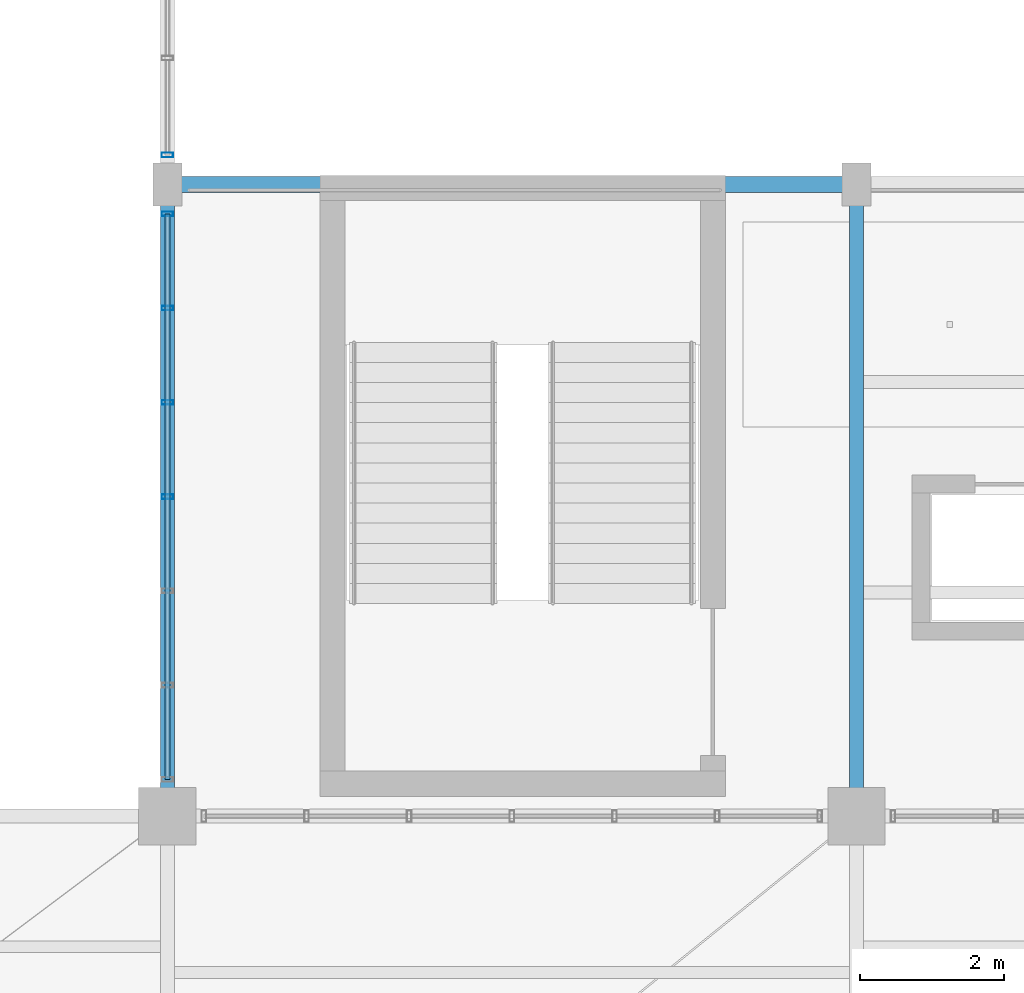
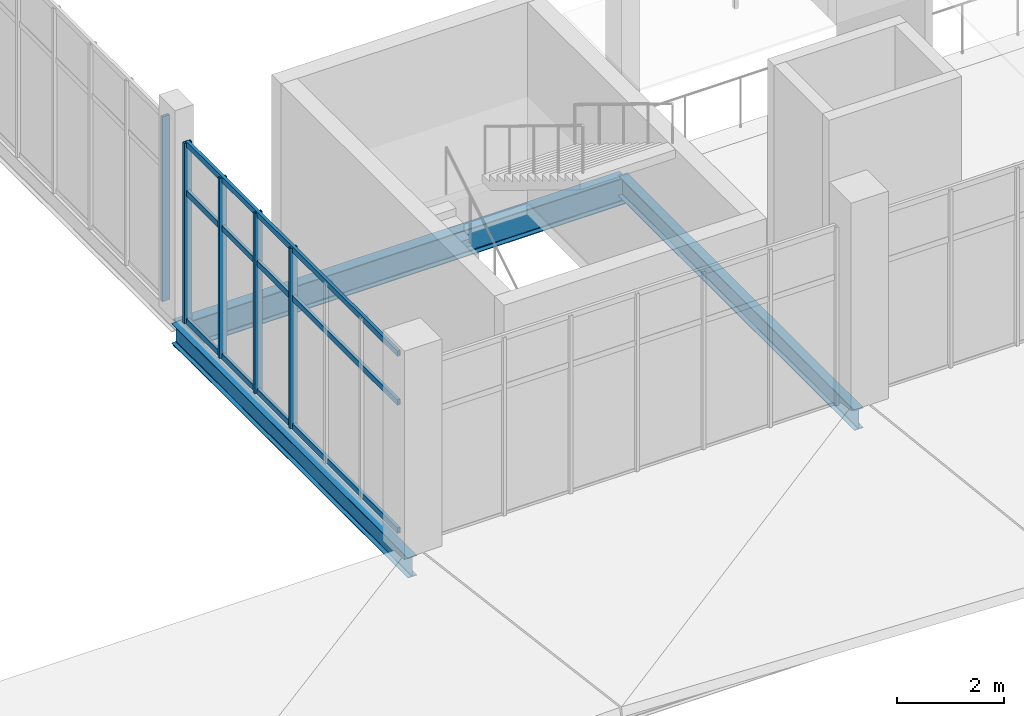
# One storey, part 28 of 157: 8 members, 3 beams, 2 elements without a shape of their own.
"""IFC4 building model written with IfcOpenShell, lengths in metres."""

from ifc_helpers import new_model, si_unit, direction, frame, origin, origin_2d, place, context, subcontext, project, spatial, hollow_rectangle, i_section, extrude, material, layer, layer_set, material_profile, profile_set, type_object, element, aggregate, save


model = new_model("IFC4")

# Units and contexts
model_context = context("Model", 3, precision=1e-05, world=origin(), true_north=direction((0.0, 1.0)))
body_context = subcontext(model_context, "Body", "Model", "MODEL_VIEW")
ifc_project = project(units=[si_unit("LENGTHUNIT", "METRE"), si_unit("AREAUNIT", "SQUARE_METRE"), si_unit("VOLUMEUNIT", "CUBIC_METRE"), si_unit("PLANEANGLEUNIT", "RADIAN"), si_unit("MASSUNIT", "GRAM", prefix="KILO")], contexts=[model_context])

# Site, building, storey
site_placement = place(None, origin())
site = spatial("IfcSite", under=ifc_project, at=site_placement, CompositionType="ELEMENT")
building_placement = place(site_placement, origin())
building = spatial("IfcBuilding", under=site, at=building_placement, Name="Chalmorin Arch Market", CompositionType="ELEMENT")
storey_placement = place(building_placement, frame((0.0, 0.0, 4.800048828125)))
storey = spatial("IfcBuildingStorey", under=building, at=storey_placement, Name="L01", CompositionType="ELEMENT", Elevation=4.800048828125)

# Curtain wall, members
ifc_material_1 = material(Name="Aluminium 6063-T6", Category="aluminium")
ifc_layer_1 = layer(ifc_material_1, 0.159912109375)
ifc_layer_set_1 = layer_set([ifc_layer_1], Name="Aluminium 6063-T6")
curtain_wall_type_1 = type_object("IfcCurtainWallType", Name="GableTympanumCurtainWall-CW4-7880x4100", PredefinedType="NOTDEFINED", material=ifc_layer_set_1)
curtain_wall_1_placement = place(storey_placement, origin())
curtain_wall_1 = element("IfcCurtainWall", 1, at=curtain_wall_1_placement, inside=storey, type_object=curtain_wall_type_1, Name="CW-04-026", PredefinedType="NOTDEFINED")
ifc_material_profile_1 = material_profile(ifc_material_1, hollow_rectangle(XDim=0.06494140625, YDim=0.159912109375, WallThickness=0.00390625, at=origin_2d()), Name="ALU65X160X4")
ifc_profile_set_1 = profile_set([ifc_material_profile_1], Name="Aluminium 6063-T6")
member_type_1 = type_object("IfcMemberType", Name="CurtainWallMullion-65x160", PredefinedType="MULLION", material=ifc_profile_set_1)
member_1_placement = place(storey_placement, frame((48.0, 10.449951171875, 0.0), z_axis=(0.0, 0.0, 1.0), x_axis=(0.0, 1.0, 0.0)))
member_1 = element("IfcMember", 2, at=member_1_placement, type_object=member_type_1, Name="ML-026-04", PredefinedType="MULLION", context=body_context, shape_type="SweptSolid", body=[
    extrude(hollow_rectangle(XDim=0.06494140625, YDim=0.159912109375, WallThickness=0.00390625, at=origin_2d()), origin(), (0.0, 0.0, 1.0), 4.095947265625),
])
member_2_placement = place(storey_placement, frame((48.0, 11.76318359375, 0.0), z_axis=(0.0, 0.0, 1.0), x_axis=(0.0, 1.0, 0.0)))
member_2 = element("IfcMember", 3, at=member_2_placement, type_object=member_type_1, Name="ML-026-05", PredefinedType="MULLION", context=body_context, shape_type="SweptSolid", body=[
    extrude(hollow_rectangle(XDim=0.06494140625, YDim=0.159912109375, WallThickness=0.00390625, at=origin_2d()), origin(), (0.0, 0.0, 1.0), 4.095947265625),
])
member_3_placement = place(storey_placement, frame((48.0, 13.07666015625, 0.0), z_axis=(0.0, 0.0, 1.0), x_axis=(0.0, 1.0, 0.0)))
member_3 = element("IfcMember", 4, at=member_3_placement, type_object=member_type_1, Name="ML-026-06", PredefinedType="MULLION", context=body_context, shape_type="SweptSolid", body=[
    extrude(hollow_rectangle(XDim=0.06494140625, YDim=0.159912109375, WallThickness=0.00390625, at=origin_2d()), origin(), (0.0, 0.0, 1.0), 4.095947265625),
])
member_4_placement = place(storey_placement, frame((48.0, 14.389892578125, 0.0), z_axis=(0.0, 0.0, 1.0), x_axis=(0.0, 1.0, 0.0)))
member_4 = element("IfcMember", 5, at=member_4_placement, type_object=member_type_1, Name="ML-026-07", PredefinedType="MULLION", context=body_context, shape_type="SweptSolid", body=[
    extrude(hollow_rectangle(XDim=0.06494140625, YDim=0.159912109375, WallThickness=0.00390625, at=origin_2d()), origin(), (0.0, 0.0, 1.0), 4.095947265625),
])

# Curtain wall, member
ifc_layer_2 = layer(ifc_material_1, 0.159912109375)
ifc_layer_set_2 = layer_set([ifc_layer_2], Name="Aluminium 6063-T6")
curtain_wall_type_2 = type_object("IfcCurtainWallType", Name="GableTympanumCurtainWall-CW4-8100x4200", PredefinedType="NOTDEFINED", material=ifc_layer_set_2)
curtain_wall_2_placement = place(storey_placement, origin())
curtain_wall_2 = element("IfcCurtainWall", 6, at=curtain_wall_2_placement, inside=storey, type_object=curtain_wall_type_2, Name="CW-04-028", PredefinedType="NOTDEFINED")
member_5_placement = place(storey_placement, frame((48.0, 15.2099609375, 0.0), z_axis=(0.0, 0.0, 1.0), x_axis=(0.0, 1.0, 0.0)))
member_5 = element("IfcMember", 7, at=member_5_placement, type_object=member_type_1, Name="ML-028-01", PredefinedType="MULLION", context=body_context, shape_type="SweptSolid", body=[
    extrude(hollow_rectangle(XDim=0.06494140625, YDim=0.159912109375, WallThickness=0.00390625, at=origin_2d()), origin(), (0.0, 0.0, 1.0), 4.199951171875),
])
aggregate(curtain_wall_2, [member_5])

# Member
ifc_material_profile_2 = material_profile(ifc_material_1, hollow_rectangle(XDim=0.06494140625, YDim=0.1298828125, WallThickness=0.00390625, at=origin_2d()), Name="ALU65X130X4")
ifc_profile_set_2 = profile_set([ifc_material_profile_2], Name="Aluminium 6063-T6")
member_type_2 = type_object("IfcMemberType", Name="CurtainWallTransom-65x130", PredefinedType="USERDEFINED", material=ifc_profile_set_2)
member_6_placement = place(storey_placement, frame((48.0, 6.510009765625, 0.034912109375), z_axis=(0.0, 1.0, 0.0), x_axis=(-1.0, 0.0, 0.0)))
member_6 = element("IfcMember", 8, at=member_6_placement, type_object=member_type_2, Name="TR-026-01", ObjectType="TRANSOM", PredefinedType="USERDEFINED", context=body_context, shape_type="SweptSolid", body=[
    extrude(hollow_rectangle(XDim=0.06494140625, YDim=0.1298828125, WallThickness=0.00390625, at=origin_2d()), origin(), (0.0, 0.0, 1.0), 7.8798828125),
])

member_7_placement = place(storey_placement, frame((48.0, 6.510009765625, 2.948974609375), z_axis=(0.0, 1.0, 0.0), x_axis=(-1.0, 0.0, 0.0)))
member_7 = element("IfcMember", 9, at=member_7_placement, type_object=member_type_2, Name="TR-026-02", ObjectType="TRANSOM", PredefinedType="USERDEFINED", context=body_context, shape_type="SweptSolid", body=[
    extrude(hollow_rectangle(XDim=0.06494140625, YDim=0.1298828125, WallThickness=0.00390625, at=origin_2d()), origin(), (0.0, 0.0, 1.0), 7.8798828125),
])

member_8_placement = place(storey_placement, frame((48.0, 6.510009765625, 4.06103515625), z_axis=(0.0, 1.0, 0.0), x_axis=(-1.0, 0.0, 0.0)))
member_8 = element("IfcMember", 10, at=member_8_placement, type_object=member_type_2, Name="TR-026-03", ObjectType="TRANSOM", PredefinedType="USERDEFINED", context=body_context, shape_type="SweptSolid", body=[
    extrude(hollow_rectangle(XDim=0.06494140625, YDim=0.1298828125, WallThickness=0.00390625, at=origin_2d()), origin(), (0.0, 0.0, 1.0), 7.8798828125),
])

aggregate(curtain_wall_1, [member_1, member_2, member_3, member_4, member_6, member_7, member_8])

# Beams
ifc_material_2 = material(Name="Steel A992 Grade 50", Category="steel")
ifc_material_profile_3 = material_profile(ifc_material_2, i_section(OverallWidth=0.193115234375, OverallDepth=0.466064453125, WebThickness=0.011474609375, FlangeThickness=0.01904296875, FilletRadius=0.02001953125, at=origin_2d()), Name="W18X65")
ifc_profile_set_3 = profile_set([ifc_material_profile_3], Name="Steel A992 Grade 50")
beam_type_1 = type_object("IfcBeamType", Name="FloorSteelBeam-W18X65", PredefinedType="BEAM", material=ifc_profile_set_3)
beam_1_placement = place(storey_placement, frame((57.60009765625, 6.0, -0.485107421875), z_axis=(0.0, 1.0, 0.0), x_axis=(-1.0, 0.0, 0.0)))
element("IfcBeam", 11, at=beam_1_placement, inside=storey, type_object=beam_type_1, Name="BM-W18A-0603", PredefinedType="BEAM", context=body_context, shape_type="SweptSolid", body=[
    extrude(i_section(OverallWidth=0.193115234375, OverallDepth=0.466064453125, WebThickness=0.011474609375, FlangeThickness=0.01904296875, FilletRadius=0.02001953125, at=origin_2d()), origin(), (0.0, 0.0, 1.0), 8.800048828125),
])
ifc_material_profile_4 = material_profile(ifc_material_2, i_section(OverallWidth=0.19091796875, OverallDepth=0.45703125, WebThickness=0.009033203125, FlangeThickness=0.014404296875, FilletRadius=0.02001953125, at=origin_2d()), Name="W18X50")
ifc_profile_set_4 = profile_set([ifc_material_profile_4], Name="Steel A992 Grade 50")
beam_type_2 = type_object("IfcBeamType", Name="PerimeterSpandrelBeam-W18X50", PredefinedType="SPANDREL", material=ifc_profile_set_4)
beam_2_placement = place(storey_placement, frame((48.0, 6.0, -0.48046875), z_axis=(0.0, 1.0, 0.0), x_axis=(-1.0, 0.0, 0.0)))
element("IfcBeam", 12, at=beam_2_placement, inside=storey, type_object=beam_type_2, Name="SP-W18-0602", PredefinedType="SPANDREL", context=body_context, shape_type="SweptSolid", body=[
    extrude(i_section(OverallWidth=0.19091796875, OverallDepth=0.45703125, WebThickness=0.009033203125, FlangeThickness=0.014404296875, FilletRadius=0.02001953125, at=origin_2d()), origin(), (0.0, 0.0, 1.0), 8.800048828125),
])
ifc_material_profile_5 = material_profile(ifc_material_2, i_section(OverallWidth=0.22802734375, OverallDepth=0.60791015625, WebThickness=0.01123046875, FlangeThickness=0.017333984375, FilletRadius=0.02392578125, at=origin_2d()), Name="W24X76")
ifc_profile_set_5 = profile_set([ifc_material_profile_5], Name="Steel A992 Grade 50")
beam_type_3 = type_object("IfcBeamType", Name="PrimarySteelGirder-W24X76", PredefinedType="BEAM", material=ifc_profile_set_5)
beam_3_placement = place(storey_placement, frame((48.0, 14.800048828125, -0.55615234375), z_axis=(1.0, 0.0, 0.0), x_axis=(0.0, 1.0, 0.0)))
element("IfcBeam", 13, at=beam_3_placement, inside=storey, type_object=beam_type_3, Name="BG-W24B-0601", PredefinedType="BEAM", context=body_context, shape_type="SweptSolid", body=[
    extrude(i_section(OverallWidth=0.22802734375, OverallDepth=0.60791015625, WebThickness=0.01123046875, FlangeThickness=0.017333984375, FilletRadius=0.02392578125, at=origin_2d()), origin(), (0.0, 0.0, 1.0), 9.60009765625),
])

save(model, "model.ifc")
